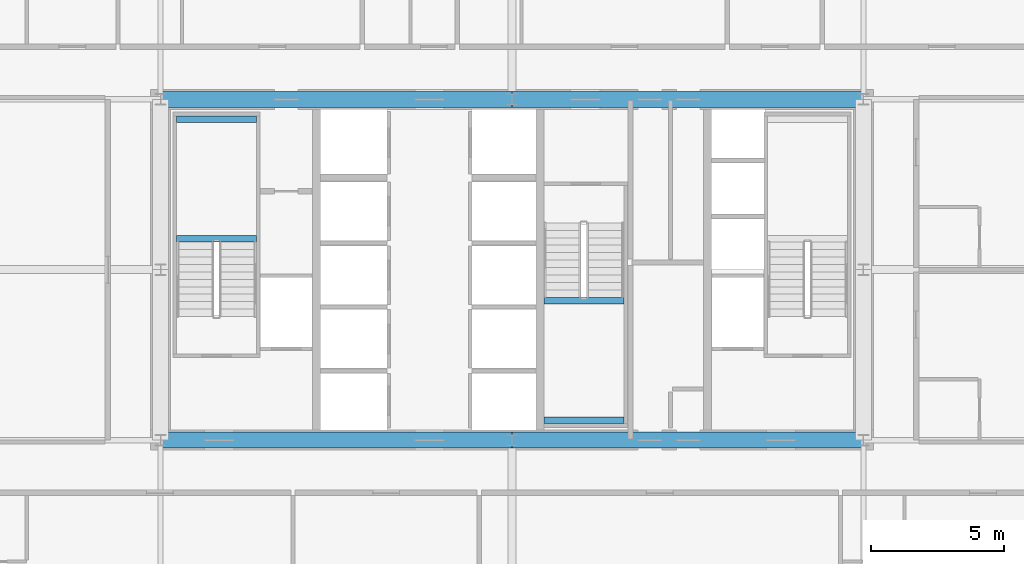
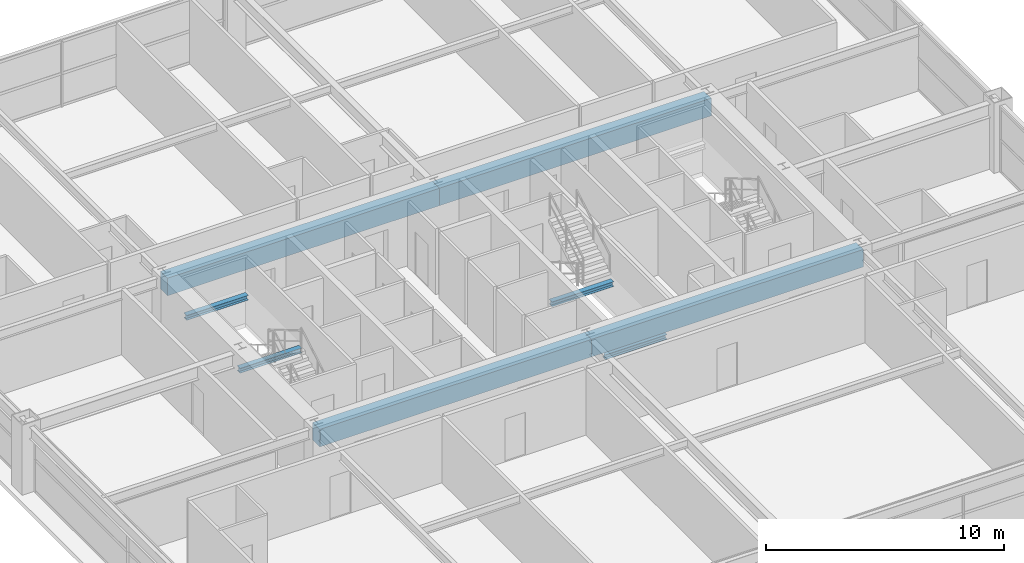
# One storey, part 12 of 38: 8 beams.
"""IFC4 building model written with IfcOpenShell, lengths in metres."""

import ifcopenshell
import ifcopenshell.guid

model = None  # the IFC model being written
_history = None  # IfcOwnerHistory: only IFC2X3 demands one
_inside = {}  # id of a spatial element -> (the spatial element, [elements in it])
_under = {}  # id of a project, library or spatial element -> (it, [spatial elements below it])
_declared = {}  # id of a project -> (the project, [libraries it declares])
_typed = {}  # id of a type object -> (the type object, [elements of that type])
_made_of = {}  # id of a material, layer set ... -> (it, [elements and type objects made of it])


def new_model(schema):
    """Start an empty IFC model of exactly this schema.

    Asked for "IFC4X3", IfcOpenShell would pick the latest addendum, in which some entities
    have other attributes; the version numbers below select the first issue.
    IFC2X3 requires an IfcOwnerHistory on every rooted entity: one is made here for all.
    """
    global model, _history
    if schema == "IFC4X3":
        model = ifcopenshell.file(schema_version=(4, 3, 0, 0))
    else:
        model = ifcopenshell.file(schema=schema)
    _inside.clear()
    _under.clear()
    _declared.clear()
    _typed.clear()
    _made_of.clear()
    _history = None
    if model.schema == "IFC2X3":
        org = make("IfcOrganization", Name="unknown")
        user = make(
            "IfcPersonAndOrganization",
            ThePerson=make("IfcPerson", FamilyName="unknown"),
            TheOrganization=org,
        )
        app = make(
            "IfcApplication",
            ApplicationDeveloper=org,
            Version="unknown",
            ApplicationFullName="unknown",
            ApplicationIdentifier="unknown",
        )
        _history = make(
            "IfcOwnerHistory",
            OwningUser=user,
            OwningApplication=app,
            ChangeAction="ADDED",
            CreationDate=0,
        )
    return model


def make(cls, **values):
    """One entity of the class cls with the attributes given. An attribute that is None is left unset."""
    return model.create_entity(
        cls, **{name: value for name, value in values.items() if value is not None}
    )


def rooted(cls, **values):
    """An entity with a GlobalId (a new one), such as an element, a storey or a relation."""
    return make(cls, GlobalId=ifcopenshell.guid.new(), OwnerHistory=_history, **values)


def si_unit(unit_type, name, prefix=None):
    """IfcSIUnit, for example si_unit("LENGTHUNIT", "METRE", prefix="MILLI")."""
    return make("IfcSIUnit", UnitType=unit_type, Prefix=prefix, Name=name)


def assignment(units):
    """IfcUnitAssignment: the units of a project."""
    return None if units is None else make("IfcUnitAssignment", Units=units)


def point(xyz):
    """IfcCartesianPoint."""
    return None if xyz is None else make("IfcCartesianPoint", Coordinates=xyz)


def direction(xyz):
    """IfcDirection."""
    return None if xyz is None else make("IfcDirection", DirectionRatios=xyz)


def frame(location, z_axis=None, x_axis=None):
    """IfcAxis2Placement3D, a coordinate frame: its origin and axes. An axis left out is left unset."""
    return make(
        "IfcAxis2Placement3D",
        Location=point(location),
        Axis=direction(z_axis),
        RefDirection=direction(x_axis),
    )


def frame_2d(location, x_axis=None):
    """IfcAxis2Placement2D, a coordinate frame in the plane: its origin and x axis."""
    return make(
        "IfcAxis2Placement2D", Location=point(location), RefDirection=direction(x_axis)
    )


def origin():
    """The frame at (0, 0, 0) with its axes left unset."""
    return frame((0.0, 0.0, 0.0))


def origin_2d():
    """The frame at (0, 0) in the plane with its x axis left unset."""
    return frame_2d((0.0, 0.0))


def place(relative_to, where):
    """IfcLocalPlacement: puts the frame where relative to a parent placement (None: the world)."""
    return make(
        "IfcLocalPlacement", PlacementRelTo=relative_to, RelativePlacement=where
    )


def context(
    kind, dimensions, precision=None, world=None, true_north=None, identifier=None
):
    """IfcGeometricRepresentationContext, for example the 3D "Model" context."""
    return make(
        "IfcGeometricRepresentationContext",
        ContextIdentifier=identifier,
        ContextType=kind,
        CoordinateSpaceDimension=dimensions,
        Precision=precision,
        WorldCoordinateSystem=world,
        TrueNorth=true_north,
    )


def subcontext(parent, identifier, kind, view, scale=None):
    """IfcGeometricRepresentationSubContext, for example "Body" below "Model"."""
    return make(
        "IfcGeometricRepresentationSubContext",
        ContextIdentifier=identifier,
        ContextType=kind,
        ParentContext=parent,
        TargetScale=scale,
        TargetView=view,
    )


def project(units=None, contexts=None):
    """IfcProject with its units and contexts."""
    return rooted(
        "IfcProject",
        Name="project",
        RepresentationContexts=contexts,
        UnitsInContext=assignment(units),
    )


def spatial(cls, under=None, at=None, **own):
    """A site, building, storey or space (cls), placed at a placement, below another one or the project."""
    s = rooted(cls, ObjectPlacement=at, **own)
    if under is not None:
        _under.setdefault(under.id(), (under, []))[1].append(s)
    return s


def profile(cls, at=None, kind="AREA", **sizes):
    """A parametric profile (cls). Its sizes go by their IFC names, for example OverallWidth=200.0."""
    return make(cls, ProfileType=kind, Position=at, **sizes)


def rectangle(**sizes):
    """IfcRectangleProfileDef."""
    return profile("IfcRectangleProfileDef", **sizes)


def i_section(**sizes):
    """IfcIShapeProfileDef."""
    return profile("IfcIShapeProfileDef", **sizes)


def extrude(swept, where, along, depth):
    """IfcExtrudedAreaSolid: the profile swept, set in the frame where, extruded along a direction by depth."""
    return make(
        "IfcExtrudedAreaSolid",
        SweptArea=swept,
        Position=where,
        ExtrudedDirection=direction(along),
        Depth=depth,
    )


def shape(context_of_items, identifier, shape_type, items):
    """IfcShapeRepresentation: the items that make up one representation, for example the "Body"."""
    return make(
        "IfcShapeRepresentation",
        ContextOfItems=context_of_items,
        RepresentationIdentifier=identifier,
        RepresentationType=shape_type,
        Items=items,
    )


def source(mapping_origin, context_of_items, identifier, shape_type, items):
    """IfcRepresentationMap: a shape defined once, which mapped items show again and again."""
    return make(
        "IfcRepresentationMap",
        MappingOrigin=mapping_origin,
        MappedRepresentation=shape(context_of_items, identifier, shape_type, items),
    )


def transform(
    local_origin,
    x_axis=None,
    y_axis=None,
    z_axis=None,
    scale=None,
    scale2=None,
    scale3=None,
    uniform=True,
):
    """IfcCartesianTransformationOperator3D, or its non-uniform kind. x_axis, y_axis, z_axis: its Axis1, 2, 3."""
    if uniform:
        return make(
            "IfcCartesianTransformationOperator3D",
            Axis1=direction(x_axis),
            Axis2=direction(y_axis),
            LocalOrigin=point(local_origin),
            Scale=scale,
            Axis3=direction(z_axis),
        )
    return make(
        "IfcCartesianTransformationOperator3DnonUniform",
        Axis1=direction(x_axis),
        Axis2=direction(y_axis),
        LocalOrigin=point(local_origin),
        Scale=scale,
        Axis3=direction(z_axis),
        Scale2=scale2,
        Scale3=scale3,
    )


def mapped(mapping_source, mapping_target):
    """IfcMappedItem: shows the shape of a source again, moved by a transform."""
    return make(
        "IfcMappedItem", MappingSource=mapping_source, MappingTarget=mapping_target
    )


def material(Name=None, Category=None):
    """IfcMaterial."""
    return make("IfcMaterial", Name=Name, Category=Category)


def material_profile(
    of_material, cross_section, Name=None, Category=None, Priority=None
):
    """IfcMaterialProfile: a cross section and its material."""
    return make(
        "IfcMaterialProfile",
        Name=Name,
        Material=of_material,
        Profile=cross_section,
        Priority=Priority,
        Category=Category,
    )


def profile_set(profiles, Name=None, composite=None):
    """IfcMaterialProfileSet."""
    return make(
        "IfcMaterialProfileSet",
        Name=Name,
        MaterialProfiles=profiles,
        CompositeProfile=composite,
    )


def made_of(thing, what):
    """Note that an element or type object is made of a material, layer set ...; save() writes the relation."""
    if what is not None:
        _made_of.setdefault(what.id(), (what, []))[1].append(thing)
    return thing


def type_object(cls, material=None, **own):
    """A type object (cls), such as IfcWallType, which elements share."""
    return made_of(rooted(cls, **own), material)


def element(
    cls,
    number,
    at=None,
    inside=None,
    cuts=None,
    type_object=None,
    material=None,
    context=None,
    identifier="Body",
    shape_type=None,
    held_by="IfcProductDefinitionShape",
    body=None,
    shapes=None,
    **own,
):
    """One element of the class cls, such as IfcWall. Its Tag is "e" and its number.

    at: its placement. inside: the storey or other place that contains it. cuts: it is an
    opening in that element (IfcRelVoidsElement). A single representation is given by context,
    identifier, shape_type and body (its items); several are given by shapes. held_by: the class
    of the entity that holds the representations. save() writes the other relations.
    """
    e = rooted(cls, Tag="e%d" % number, ObjectPlacement=at, **own)
    if body is not None:
        shapes = [shape(context, identifier, shape_type, body)]
    if shapes is not None:
        e.Representation = make(held_by, Representations=shapes)
    if inside is not None:
        _inside.setdefault(inside.id(), (inside, []))[1].append(e)
    if cuts is not None:
        rooted(
            "IfcRelVoidsElement", RelatingBuildingElement=cuts, RelatedOpeningElement=e
        )
    if type_object is not None:
        _typed.setdefault(type_object.id(), (type_object, []))[1].append(e)
    return made_of(e, material)


def aggregate(whole, parts):
    """IfcRelAggregates: a whole, such as a stair, and the parts it consists of."""
    return rooted("IfcRelAggregates", RelatingObject=whole, RelatedObjects=parts)


def save(model, path):
    """Write the relations noted so far, then the file.

    IfcRelAggregates (storeys below a building ...), IfcRelContainedInSpatialStructure (elements
    in a storey), IfcRelDefinesByType, IfcRelAssociatesMaterial and IfcRelDeclares: one each for
    every whole, place, type object, material and project.
    """
    for whole, parts in _under.values():
        aggregate(whole, parts)
    for where, things in _inside.values():
        rooted(
            "IfcRelContainedInSpatialStructure",
            RelatedElements=things,
            RelatingStructure=where,
        )
    for kind, things in _typed.values():
        rooted("IfcRelDefinesByType", RelatedObjects=things, RelatingType=kind)
    for what, things in _made_of.values():
        rooted("IfcRelAssociatesMaterial", RelatedObjects=things, RelatingMaterial=what)
    for by, libraries in _declared.values():
        rooted("IfcRelDeclares", RelatingContext=by, RelatedDefinitions=libraries)
    model.write(path)


model = new_model("IFC4")

# Units and contexts
model_context = context("Model", 3, precision=1e-05, world=origin(), true_north=direction((0.0, 1.0)))
body_context = subcontext(model_context, "Body", "Model", "MODEL_VIEW")
ifc_project = project(units=[si_unit("LENGTHUNIT", "METRE"), si_unit("AREAUNIT", "SQUARE_METRE"), si_unit("VOLUMEUNIT", "CUBIC_METRE"), si_unit("PLANEANGLEUNIT", "RADIAN"), si_unit("MASSUNIT", "GRAM", prefix="KILO"), si_unit("THERMODYNAMICTEMPERATUREUNIT", "KELVIN"), si_unit("POWERUNIT", "WATT")], contexts=[model_context])

# Site, building, storey
site_placement = place(None, origin())
site = spatial("IfcSite", under=ifc_project, at=site_placement, CompositionType="ELEMENT")
building_placement = place(site_placement, origin())
building = spatial("IfcBuilding", under=site, at=building_placement, Name="Yuzanri Waterfront Tower", CompositionType="ELEMENT")
storey_placement = place(building_placement, frame((0.0, 0.0, 111.800048828125)))
storey = spatial("IfcBuildingStorey", under=building, at=storey_placement, Name="L29", CompositionType="ELEMENT", Elevation=111.800048828125)

# Beams
ifc_material_1 = material(Name="Concrete C60", Category="concrete")
ifc_material_profile_1 = material_profile(ifc_material_1, rectangle(XDim=0.60009765625, YDim=0.89990234375, at=origin_2d()), Name="RC 600x900")
ifc_profile_set_1 = profile_set([ifc_material_profile_1], Name="Concrete C60")
beam_type_1 = type_object("IfcBeamType", Name="Core Coupling Lintel Concrete C60 600x900", PredefinedType="LINTEL", material=ifc_profile_set_1)
shared_shape_1 = source(origin(), body_context, "Body", "SweptSolid", [
    extrude(rectangle(XDim=0.60009765625, YDim=0.89990234375, at=origin_2d()), origin(), (0.0, 0.0, 1.0), 13.199951171875),
])
for number, where, z_axis, x_axis, name in (
    (1, (23.800048828125, 19.39990234375, 2.929931640625), (1.0, 0.0, 0.0), (0.0, 1.0, 0.0), "L29 Core Tie Beam CS1"),
    (2, (37.0, 19.39990234375, 2.929931640625), (1.0, 0.0, 0.0), (0.0, 1.0, 0.0), "L29 Core Tie Beam CS2"),
    (3, (23.800048828125, 32.199951171875, 2.929931640625), (1.0, 0.0, 0.0), (0.0, 1.0, 0.0), "L29 Core Tie Beam CN1"),
    (4, (37.0, 32.199951171875, 2.929931640625), (1.0, 0.0, 0.0), (0.0, 1.0, 0.0), "L29 Core Tie Beam CN2"),
):
    element("IfcBeam", number, at=place(storey_placement, frame(where, z_axis=z_axis, x_axis=x_axis)), inside=storey, type_object=beam_type_1, Name=name, PredefinedType="LINTEL", context=body_context, shape_type="MappedRepresentation", body=[
        mapped(shared_shape_1, transform((0.0, 0.0, 0.0), scale=1.0)),
    ])
ifc_material_2 = material(Name="Steel Q355B", Category="steel")
ifc_material_profile_2 = material_profile(ifc_material_2, i_section(OverallWidth=0.25, OverallDepth=0.25, WebThickness=0.009033203125, FlangeThickness=0.013916015625, at=origin_2d()), Name="HW 250x250x9x14")
ifc_profile_set_2 = profile_set([ifc_material_profile_2], Name="Steel Q355B")
beam_type_2 = type_object("IfcBeamType", Name="Stair Landing Support Beam Q355B HW 250x250", PredefinedType="BEAM", material=ifc_profile_set_2)
shared_shape_2 = source(origin(), body_context, "Body", "SweptSolid", [
    extrude(i_section(OverallWidth=0.25, OverallDepth=0.25, WebThickness=0.009033203125, FlangeThickness=0.013916015625, at=origin_2d()), origin(), (0.0, 0.0, 1.0), 3.0),
])
for number, where, z_axis, x_axis, name in (
    (5, (24.39990234375, 26.969970703125, 1.474853515625), (1.0, 0.0, 0.0), (0.0, 1.0, 0.0), "L29 Stair Landing Support Beam ST-01-L29-L1-1"),
    (6, (24.39990234375, 31.449951171875, 1.474853515625), (1.0, 0.0, 0.0), (0.0, 1.0, 0.0), "L29 Stair Landing Support Beam ST-01-L29-L1-2"),
    (7, (38.199951171875, 20.14990234375, 1.474853515625), (1.0, 0.0, 0.0), (0.0, 1.0, 0.0), "L29 Stair Landing Support Beam ST-03-L29-L1-1"),
    (8, (38.199951171875, 24.6298828125, 1.474853515625), (1.0, 0.0, 0.0), (0.0, 1.0, 0.0), "L29 Stair Landing Support Beam ST-03-L29-L1-2"),
):
    element("IfcBeam", number, at=place(storey_placement, frame(where, z_axis=z_axis, x_axis=x_axis)), inside=storey, type_object=beam_type_2, Name=name, PredefinedType="BEAM", context=body_context, shape_type="MappedRepresentation", body=[
        mapped(shared_shape_2, transform((0.0, 0.0, 0.0), scale=1.0)),
    ])

save(model, "model.ifc")
